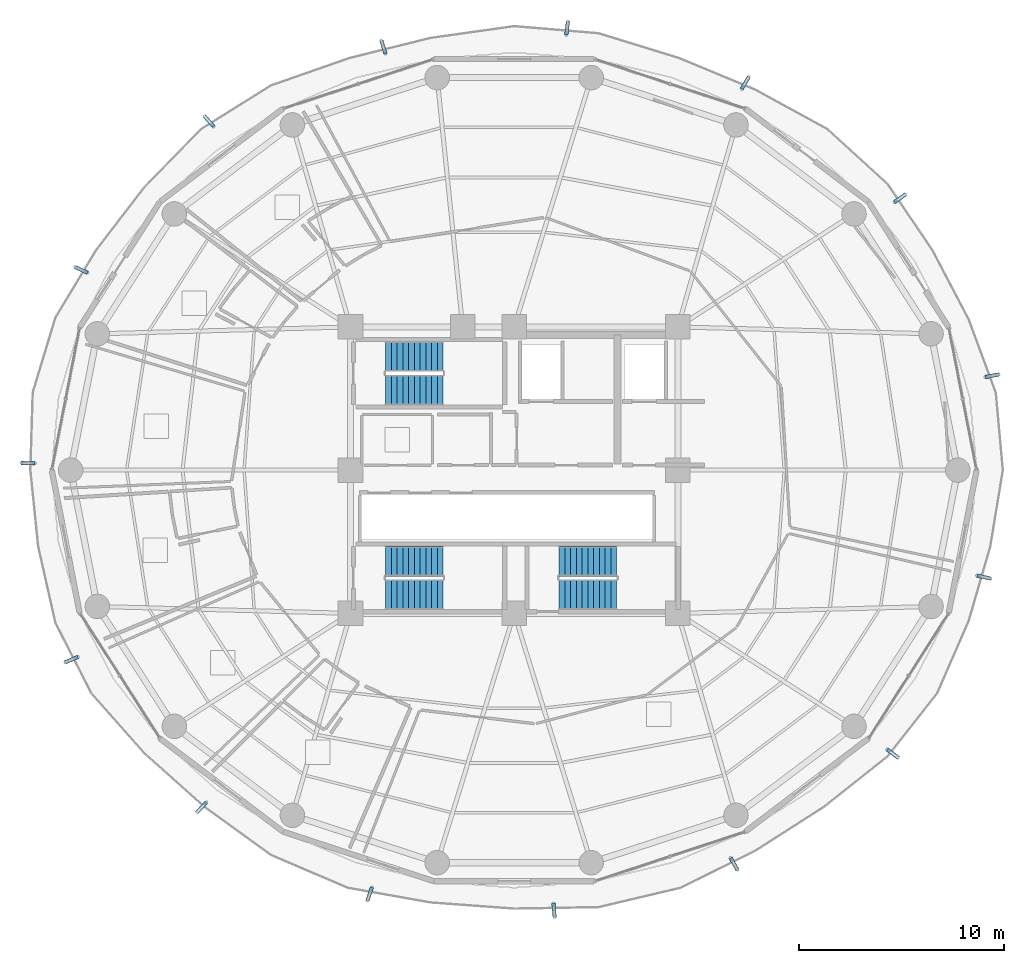
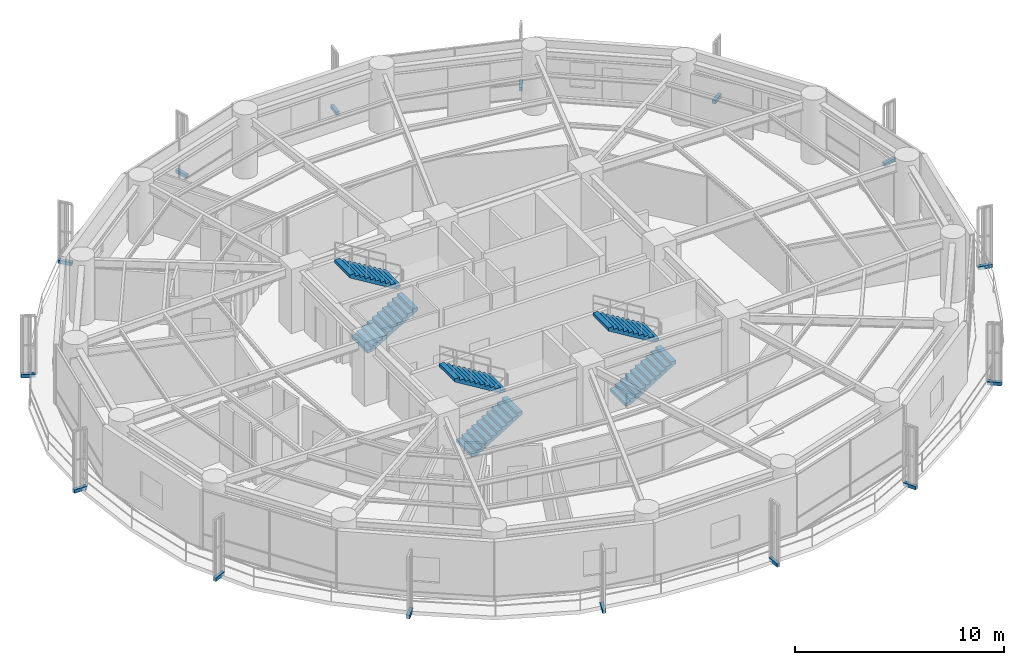
# One storey, part 24 of 27: 15 discrete accessories, 6 stair flights, 3 elements without a shape of their own.
"""IFC4 building model written with IfcOpenShell, lengths in metres."""

import ifcopenshell
import ifcopenshell.guid

model = None  # the IFC model being written
_history = None  # IfcOwnerHistory: only IFC2X3 demands one
_inside = {}  # id of a spatial element -> (the spatial element, [elements in it])
_under = {}  # id of a project, library or spatial element -> (it, [spatial elements below it])
_declared = {}  # id of a project -> (the project, [libraries it declares])
_typed = {}  # id of a type object -> (the type object, [elements of that type])
_made_of = {}  # id of a material, layer set ... -> (it, [elements and type objects made of it])


def new_model(schema):
    """Start an empty IFC model of exactly this schema.

    Asked for "IFC4X3", IfcOpenShell would pick the latest addendum, in which some entities
    have other attributes; the version numbers below select the first issue.
    IFC2X3 requires an IfcOwnerHistory on every rooted entity: one is made here for all.
    """
    global model, _history
    if schema == "IFC4X3":
        model = ifcopenshell.file(schema_version=(4, 3, 0, 0))
    else:
        model = ifcopenshell.file(schema=schema)
    _inside.clear()
    _under.clear()
    _declared.clear()
    _typed.clear()
    _made_of.clear()
    _history = None
    if model.schema == "IFC2X3":
        org = make("IfcOrganization", Name="unknown")
        user = make(
            "IfcPersonAndOrganization",
            ThePerson=make("IfcPerson", FamilyName="unknown"),
            TheOrganization=org,
        )
        app = make(
            "IfcApplication",
            ApplicationDeveloper=org,
            Version="unknown",
            ApplicationFullName="unknown",
            ApplicationIdentifier="unknown",
        )
        _history = make(
            "IfcOwnerHistory",
            OwningUser=user,
            OwningApplication=app,
            ChangeAction="ADDED",
            CreationDate=0,
        )
    return model


def make(cls, **values):
    """One entity of the class cls with the attributes given. An attribute that is None is left unset."""
    return model.create_entity(
        cls, **{name: value for name, value in values.items() if value is not None}
    )


def rooted(cls, **values):
    """An entity with a GlobalId (a new one), such as an element, a storey or a relation."""
    return make(cls, GlobalId=ifcopenshell.guid.new(), OwnerHistory=_history, **values)


def si_unit(unit_type, name, prefix=None):
    """IfcSIUnit, for example si_unit("LENGTHUNIT", "METRE", prefix="MILLI")."""
    return make("IfcSIUnit", UnitType=unit_type, Prefix=prefix, Name=name)


def assignment(units):
    """IfcUnitAssignment: the units of a project."""
    return None if units is None else make("IfcUnitAssignment", Units=units)


def point(xyz):
    """IfcCartesianPoint."""
    return None if xyz is None else make("IfcCartesianPoint", Coordinates=xyz)


def direction(xyz):
    """IfcDirection."""
    return None if xyz is None else make("IfcDirection", DirectionRatios=xyz)


def frame(location, z_axis=None, x_axis=None):
    """IfcAxis2Placement3D, a coordinate frame: its origin and axes. An axis left out is left unset."""
    return make(
        "IfcAxis2Placement3D",
        Location=point(location),
        Axis=direction(z_axis),
        RefDirection=direction(x_axis),
    )


def frame_2d(location, x_axis=None):
    """IfcAxis2Placement2D, a coordinate frame in the plane: its origin and x axis."""
    return make(
        "IfcAxis2Placement2D", Location=point(location), RefDirection=direction(x_axis)
    )


def origin():
    """The frame at (0, 0, 0) with its axes left unset."""
    return frame((0.0, 0.0, 0.0))


def origin_2d():
    """The frame at (0, 0) in the plane with its x axis left unset."""
    return frame_2d((0.0, 0.0))


def place(relative_to, where):
    """IfcLocalPlacement: puts the frame where relative to a parent placement (None: the world)."""
    return make(
        "IfcLocalPlacement", PlacementRelTo=relative_to, RelativePlacement=where
    )


def context(
    kind, dimensions, precision=None, world=None, true_north=None, identifier=None
):
    """IfcGeometricRepresentationContext, for example the 3D "Model" context."""
    return make(
        "IfcGeometricRepresentationContext",
        ContextIdentifier=identifier,
        ContextType=kind,
        CoordinateSpaceDimension=dimensions,
        Precision=precision,
        WorldCoordinateSystem=world,
        TrueNorth=true_north,
    )


def subcontext(parent, identifier, kind, view, scale=None):
    """IfcGeometricRepresentationSubContext, for example "Body" below "Model"."""
    return make(
        "IfcGeometricRepresentationSubContext",
        ContextIdentifier=identifier,
        ContextType=kind,
        ParentContext=parent,
        TargetScale=scale,
        TargetView=view,
    )


def project(units=None, contexts=None):
    """IfcProject with its units and contexts."""
    return rooted(
        "IfcProject",
        Name="project",
        RepresentationContexts=contexts,
        UnitsInContext=assignment(units),
    )


def spatial(cls, under=None, at=None, **own):
    """A site, building, storey or space (cls), placed at a placement, below another one or the project."""
    s = rooted(cls, ObjectPlacement=at, **own)
    if under is not None:
        _under.setdefault(under.id(), (under, []))[1].append(s)
    return s


def polyline(points):
    """IfcPolyline through the points."""
    return make("IfcPolyline", Points=[point(p) for p in points])


def profile(cls, at=None, kind="AREA", **sizes):
    """A parametric profile (cls). Its sizes go by their IFC names, for example OverallWidth=200.0."""
    return make(cls, ProfileType=kind, Position=at, **sizes)


def rectangle(**sizes):
    """IfcRectangleProfileDef."""
    return profile("IfcRectangleProfileDef", **sizes)


def outline(outer, holes=None, kind="AREA"):
    """IfcArbitraryClosedProfileDef: a profile drawn as a closed curve; with holes, ...WithVoids."""
    if holes is None:
        return make("IfcArbitraryClosedProfileDef", ProfileType=kind, OuterCurve=outer)
    return make(
        "IfcArbitraryProfileDefWithVoids",
        ProfileType=kind,
        OuterCurve=outer,
        InnerCurves=holes,
    )


def extrude(swept, where, along, depth):
    """IfcExtrudedAreaSolid: the profile swept, set in the frame where, extruded along a direction by depth."""
    return make(
        "IfcExtrudedAreaSolid",
        SweptArea=swept,
        Position=where,
        ExtrudedDirection=direction(along),
        Depth=depth,
    )


def shape(context_of_items, identifier, shape_type, items):
    """IfcShapeRepresentation: the items that make up one representation, for example the "Body"."""
    return make(
        "IfcShapeRepresentation",
        ContextOfItems=context_of_items,
        RepresentationIdentifier=identifier,
        RepresentationType=shape_type,
        Items=items,
    )


def source(mapping_origin, context_of_items, identifier, shape_type, items):
    """IfcRepresentationMap: a shape defined once, which mapped items show again and again."""
    return make(
        "IfcRepresentationMap",
        MappingOrigin=mapping_origin,
        MappedRepresentation=shape(context_of_items, identifier, shape_type, items),
    )


def transform(
    local_origin,
    x_axis=None,
    y_axis=None,
    z_axis=None,
    scale=None,
    scale2=None,
    scale3=None,
    uniform=True,
):
    """IfcCartesianTransformationOperator3D, or its non-uniform kind. x_axis, y_axis, z_axis: its Axis1, 2, 3."""
    if uniform:
        return make(
            "IfcCartesianTransformationOperator3D",
            Axis1=direction(x_axis),
            Axis2=direction(y_axis),
            LocalOrigin=point(local_origin),
            Scale=scale,
            Axis3=direction(z_axis),
        )
    return make(
        "IfcCartesianTransformationOperator3DnonUniform",
        Axis1=direction(x_axis),
        Axis2=direction(y_axis),
        LocalOrigin=point(local_origin),
        Scale=scale,
        Axis3=direction(z_axis),
        Scale2=scale2,
        Scale3=scale3,
    )


def mapped(mapping_source, mapping_target):
    """IfcMappedItem: shows the shape of a source again, moved by a transform."""
    return make(
        "IfcMappedItem", MappingSource=mapping_source, MappingTarget=mapping_target
    )


def material(Name=None, Category=None):
    """IfcMaterial."""
    return make("IfcMaterial", Name=Name, Category=Category)


def made_of(thing, what):
    """Note that an element or type object is made of a material, layer set ...; save() writes the relation."""
    if what is not None:
        _made_of.setdefault(what.id(), (what, []))[1].append(thing)
    return thing


def type_object(cls, material=None, **own):
    """A type object (cls), such as IfcWallType, which elements share."""
    return made_of(rooted(cls, **own), material)


def element(
    cls,
    number,
    at=None,
    inside=None,
    cuts=None,
    type_object=None,
    material=None,
    context=None,
    identifier="Body",
    shape_type=None,
    held_by="IfcProductDefinitionShape",
    body=None,
    shapes=None,
    **own,
):
    """One element of the class cls, such as IfcWall. Its Tag is "e" and its number.

    at: its placement. inside: the storey or other place that contains it. cuts: it is an
    opening in that element (IfcRelVoidsElement). A single representation is given by context,
    identifier, shape_type and body (its items); several are given by shapes. held_by: the class
    of the entity that holds the representations. save() writes the other relations.
    """
    e = rooted(cls, Tag="e%d" % number, ObjectPlacement=at, **own)
    if body is not None:
        shapes = [shape(context, identifier, shape_type, body)]
    if shapes is not None:
        e.Representation = make(held_by, Representations=shapes)
    if inside is not None:
        _inside.setdefault(inside.id(), (inside, []))[1].append(e)
    if cuts is not None:
        rooted(
            "IfcRelVoidsElement", RelatingBuildingElement=cuts, RelatedOpeningElement=e
        )
    if type_object is not None:
        _typed.setdefault(type_object.id(), (type_object, []))[1].append(e)
    return made_of(e, material)


def aggregate(whole, parts):
    """IfcRelAggregates: a whole, such as a stair, and the parts it consists of."""
    return rooted("IfcRelAggregates", RelatingObject=whole, RelatedObjects=parts)


def save(model, path):
    """Write the relations noted so far, then the file.

    IfcRelAggregates (storeys below a building ...), IfcRelContainedInSpatialStructure (elements
    in a storey), IfcRelDefinesByType, IfcRelAssociatesMaterial and IfcRelDeclares: one each for
    every whole, place, type object, material and project.
    """
    for whole, parts in _under.values():
        aggregate(whole, parts)
    for where, things in _inside.values():
        rooted(
            "IfcRelContainedInSpatialStructure",
            RelatedElements=things,
            RelatingStructure=where,
        )
    for kind, things in _typed.values():
        rooted("IfcRelDefinesByType", RelatedObjects=things, RelatingType=kind)
    for what, things in _made_of.values():
        rooted("IfcRelAssociatesMaterial", RelatedObjects=things, RelatingMaterial=what)
    for by, libraries in _declared.values():
        rooted("IfcRelDeclares", RelatingContext=by, RelatedDefinitions=libraries)
    model.write(path)


model = new_model("IFC4")

# Units and contexts
model_context = context("Model", 3, precision=1e-05, world=origin(), true_north=direction((0.0, 1.0)))
body_context = subcontext(model_context, "Body", "Model", "MODEL_VIEW")
ifc_project = project(units=[si_unit("LENGTHUNIT", "METRE"), si_unit("AREAUNIT", "SQUARE_METRE"), si_unit("VOLUMEUNIT", "CUBIC_METRE"), si_unit("PLANEANGLEUNIT", "RADIAN"), si_unit("MASSUNIT", "GRAM", prefix="KILO")], contexts=[model_context])

# Site, building, storey
site_placement = place(None, origin())
site = spatial("IfcSite", under=ifc_project, at=site_placement, CompositionType="ELEMENT")
building_placement = place(site_placement, origin())
building = spatial("IfcBuilding", under=site, at=building_placement, Name="Kelanora Arch Commons", CompositionType="ELEMENT")
storey_placement = place(building_placement, frame((0.0, 0.0, 146.85009765625)))
storey = spatial("IfcBuildingStorey", under=building, at=storey_placement, Name="L37", CompositionType="ELEMENT", Elevation=146.85009765625)

# Stair, stair flights
ifc_material_1 = material(Name="Concrete C40/50", Category="concrete")
stair_type = type_object("IfcStairType", Name="STR-DL-375", PredefinedType="HALF_TURN_STAIR", material=ifc_material_1)
stair_1_placement = place(storey_placement, origin())
stair_1 = element("IfcStair", 1, at=stair_1_placement, inside=storey, type_object=stair_type, Name="L37 ST-T1", PredefinedType="HALF_TURN_STAIR")
stair_flight_type = type_object("IfcStairFlightType", Name="FLT-DL-375", PredefinedType="STRAIGHT", material=ifc_material_1)
stair_flight_1_placement = place(storey_placement, frame((67.719970703125, 61.919921875, 0.0), z_axis=(0.0, 0.0, 1.0), x_axis=(1.0, 0.0, 0.0)))
stair_flight_1 = element("IfcStairFlight", 2, at=stair_flight_1_placement, type_object=stair_flight_type, Name="ST-T1 flight 1", NumberOfRisers=11, NumberOfTreads=10, PredefinedType="STRAIGHT", RiserHeight=0.170454545, TreadLength=0.28, context=body_context, shape_type="SweptSolid", body=[
    extrude(outline(polyline([(0.0, 0.0), (0.0, 0.17041015625), (0.280029296875, 0.17041015625), (0.280029296875, 0.3408203125), (0.56005859375, 0.3408203125), (0.56005859375, 0.511474609375), (0.840087890625, 0.511474609375), (0.840087890625, 0.681884765625), (1.1201171875, 0.681884765625), (1.1201171875, 0.852294921875), (1.39990234375, 0.852294921875), (1.39990234375, 1.022705078125), (1.679931640625, 1.022705078125), (1.679931640625, 1.193115234375), (1.9599609375, 1.193115234375), (1.9599609375, 1.363525390625), (2.239990234375, 1.363525390625), (2.239990234375, 1.5341796875), (2.52001953125, 1.5341796875), (2.52001953125, 1.70458984375), (2.800048828125, 1.70458984375), (2.800048828125, 1.875), (2.800048828125, 1.529052734375), (0.288330078125, 0.0), (0.0, 0.0)])), frame((0.0, 0.739990234375, 0.0), z_axis=(0.0, -1.0, 0.0), x_axis=(1.0, 0.0, 0.0)), (0.0, 0.0, 1.0), 1.47998046875),
])
stair_flight_2_placement = place(storey_placement, frame((70.52001953125, 63.550048828125, 1.875), z_axis=(0.0, 0.0, 1.0), x_axis=(-1.0, 0.0, 0.0)))
stair_flight_2 = element("IfcStairFlight", 3, at=stair_flight_2_placement, type_object=stair_flight_type, Name="ST-T1 flight 2", NumberOfRisers=11, NumberOfTreads=10, PredefinedType="STRAIGHT", RiserHeight=0.170454545, TreadLength=0.28, context=body_context, shape_type="SweptSolid", body=[
    extrude(outline(polyline([(0.0, 0.0), (0.0, 0.17041015625), (0.280029296875, 0.17041015625), (0.280029296875, 0.3408203125), (0.56005859375, 0.3408203125), (0.56005859375, 0.511474609375), (0.840087890625, 0.511474609375), (0.840087890625, 0.681884765625), (1.1201171875, 0.681884765625), (1.1201171875, 0.852294921875), (1.39990234375, 0.852294921875), (1.39990234375, 1.022705078125), (1.679931640625, 1.022705078125), (1.679931640625, 1.193115234375), (1.9599609375, 1.193115234375), (1.9599609375, 1.363525390625), (2.239990234375, 1.363525390625), (2.239990234375, 1.5341796875), (2.52001953125, 1.5341796875), (2.52001953125, 1.70458984375), (2.800048828125, 1.70458984375), (2.800048828125, 1.875), (2.800048828125, 1.529052734375), (0.288330078125, 0.0), (0.0, 0.0)])), frame((0.0, 0.739990234375, 0.0), z_axis=(0.0, -1.0, 0.0), x_axis=(1.0, 0.0, 0.0)), (0.0, 0.0, 1.0), 1.47998046875),
])
aggregate(stair_1, [stair_flight_1, stair_flight_2])

stair_2_placement = place(storey_placement, origin())
stair_2 = element("IfcStair", 4, at=stair_2_placement, inside=storey, type_object=stair_type, Name="L37 ST-T2", PredefinedType="HALF_TURN_STAIR")
stair_flight_3_placement = place(storey_placement, frame((76.199951171875, 51.919921875, 0.0), z_axis=(0.0, 0.0, 1.0), x_axis=(1.0, 0.0, 0.0)))
stair_flight_3 = element("IfcStairFlight", 5, at=stair_flight_3_placement, type_object=stair_flight_type, Name="ST-T2 flight 1", NumberOfRisers=11, NumberOfTreads=10, PredefinedType="STRAIGHT", RiserHeight=0.170454545, TreadLength=0.28, context=body_context, shape_type="SweptSolid", body=[
    extrude(outline(polyline([(0.0, 0.0), (0.0, 0.17041015625), (0.280029296875, 0.17041015625), (0.280029296875, 0.3408203125), (0.56005859375, 0.3408203125), (0.56005859375, 0.511474609375), (0.840087890625, 0.511474609375), (0.840087890625, 0.681884765625), (1.1201171875, 0.681884765625), (1.1201171875, 0.852294921875), (1.39990234375, 0.852294921875), (1.39990234375, 1.022705078125), (1.679931640625, 1.022705078125), (1.679931640625, 1.193115234375), (1.9599609375, 1.193115234375), (1.9599609375, 1.363525390625), (2.239990234375, 1.363525390625), (2.239990234375, 1.5341796875), (2.52001953125, 1.5341796875), (2.52001953125, 1.70458984375), (2.800048828125, 1.70458984375), (2.800048828125, 1.875), (2.800048828125, 1.529052734375), (0.288330078125, 0.0), (0.0, 0.0)])), frame((0.0, 0.739990234375, 0.0), z_axis=(0.0, -1.0, 0.0), x_axis=(1.0, 0.0, 0.0)), (0.0, 0.0, 1.0), 1.47998046875),
])
stair_flight_4_placement = place(storey_placement, frame((79.0, 53.550048828125, 1.875), z_axis=(0.0, 0.0, 1.0), x_axis=(-1.0, 0.0, 0.0)))
stair_flight_4 = element("IfcStairFlight", 6, at=stair_flight_4_placement, type_object=stair_flight_type, Name="ST-T2 flight 2", NumberOfRisers=11, NumberOfTreads=10, PredefinedType="STRAIGHT", RiserHeight=0.170454545, TreadLength=0.28, context=body_context, shape_type="SweptSolid", body=[
    extrude(outline(polyline([(0.0, 0.0), (0.0, 0.17041015625), (0.280029296875, 0.17041015625), (0.280029296875, 0.3408203125), (0.56005859375, 0.3408203125), (0.56005859375, 0.511474609375), (0.840087890625, 0.511474609375), (0.840087890625, 0.681884765625), (1.1201171875, 0.681884765625), (1.1201171875, 0.852294921875), (1.39990234375, 0.852294921875), (1.39990234375, 1.022705078125), (1.679931640625, 1.022705078125), (1.679931640625, 1.193115234375), (1.9599609375, 1.193115234375), (1.9599609375, 1.363525390625), (2.239990234375, 1.363525390625), (2.239990234375, 1.5341796875), (2.52001953125, 1.5341796875), (2.52001953125, 1.70458984375), (2.800048828125, 1.70458984375), (2.800048828125, 1.875), (2.800048828125, 1.529052734375), (0.288330078125, 0.0), (0.0, 0.0)])), frame((0.0, 0.739990234375, 0.0), z_axis=(0.0, -1.0, 0.0), x_axis=(1.0, 0.0, 0.0)), (0.0, 0.0, 1.0), 1.47998046875),
])
aggregate(stair_2, [stair_flight_3, stair_flight_4])

stair_3_placement = place(storey_placement, origin())
stair_3 = element("IfcStair", 7, at=stair_3_placement, inside=storey, type_object=stair_type, Name="L37 ST-T3", PredefinedType="HALF_TURN_STAIR")
stair_flight_5_placement = place(storey_placement, frame((67.719970703125, 51.919921875, 0.0), z_axis=(0.0, 0.0, 1.0), x_axis=(1.0, 0.0, 0.0)))
stair_flight_5 = element("IfcStairFlight", 8, at=stair_flight_5_placement, type_object=stair_flight_type, Name="ST-T3 flight 1", NumberOfRisers=11, NumberOfTreads=10, PredefinedType="STRAIGHT", RiserHeight=0.170454545, TreadLength=0.28, context=body_context, shape_type="SweptSolid", body=[
    extrude(outline(polyline([(0.0, 0.0), (0.0, 0.17041015625), (0.280029296875, 0.17041015625), (0.280029296875, 0.3408203125), (0.56005859375, 0.3408203125), (0.56005859375, 0.511474609375), (0.840087890625, 0.511474609375), (0.840087890625, 0.681884765625), (1.1201171875, 0.681884765625), (1.1201171875, 0.852294921875), (1.39990234375, 0.852294921875), (1.39990234375, 1.022705078125), (1.679931640625, 1.022705078125), (1.679931640625, 1.193115234375), (1.9599609375, 1.193115234375), (1.9599609375, 1.363525390625), (2.239990234375, 1.363525390625), (2.239990234375, 1.5341796875), (2.52001953125, 1.5341796875), (2.52001953125, 1.70458984375), (2.800048828125, 1.70458984375), (2.800048828125, 1.875), (2.800048828125, 1.529052734375), (0.288330078125, 0.0), (0.0, 0.0)])), frame((0.0, 0.739990234375, 0.0), z_axis=(0.0, -1.0, 0.0), x_axis=(1.0, 0.0, 0.0)), (0.0, 0.0, 1.0), 1.47998046875),
])
stair_flight_6_placement = place(storey_placement, frame((70.52001953125, 53.550048828125, 1.875), z_axis=(0.0, 0.0, 1.0), x_axis=(-1.0, 0.0, 0.0)))
stair_flight_6 = element("IfcStairFlight", 9, at=stair_flight_6_placement, type_object=stair_flight_type, Name="ST-T3 flight 2", NumberOfRisers=11, NumberOfTreads=10, PredefinedType="STRAIGHT", RiserHeight=0.170454545, TreadLength=0.28, context=body_context, shape_type="SweptSolid", body=[
    extrude(outline(polyline([(0.0, 0.0), (0.0, 0.17041015625), (0.280029296875, 0.17041015625), (0.280029296875, 0.3408203125), (0.56005859375, 0.3408203125), (0.56005859375, 0.511474609375), (0.840087890625, 0.511474609375), (0.840087890625, 0.681884765625), (1.1201171875, 0.681884765625), (1.1201171875, 0.852294921875), (1.39990234375, 0.852294921875), (1.39990234375, 1.022705078125), (1.679931640625, 1.022705078125), (1.679931640625, 1.193115234375), (1.9599609375, 1.193115234375), (1.9599609375, 1.363525390625), (2.239990234375, 1.363525390625), (2.239990234375, 1.5341796875), (2.52001953125, 1.5341796875), (2.52001953125, 1.70458984375), (2.800048828125, 1.70458984375), (2.800048828125, 1.875), (2.800048828125, 1.529052734375), (0.288330078125, 0.0), (0.0, 0.0)])), frame((0.0, 0.739990234375, 0.0), z_axis=(0.0, -1.0, 0.0), x_axis=(1.0, 0.0, 0.0)), (0.0, 0.0, 1.0), 1.47998046875),
])
aggregate(stair_3, [stair_flight_5, stair_flight_6])

# Discrete accessories
ifc_material_2 = material(Name="Stainless steel 316 marine fin bracket", Category="steel")
discrete_accessory_type = type_object("IfcDiscreteAccessoryType", Name="ACC-FIN-BRK", PredefinedType="BRACKET", material=ifc_material_2)
shared_shape = source(origin(), body_context, "Body", "SweptSolid", [
    extrude(rectangle(XDim=0.689697265625, YDim=0.179931640625, at=origin_2d()), origin(), (0.0, 0.0, 1.0), 0.199951171875),
])
for number, where, z_axis, x_axis, name in (
    (10, (97.35986328125, 62.6142578125, -0.16015625), (0.0, 0.0, 1.0), (0.981056721746, 0.1937206977, 0.0), "Sweeping Fin Cantilever Spine Bracket L37-00"),
    (11, (92.864501953125, 71.294677734375, -0.16015625), (0.0, 0.0, 1.0), (0.817446605564, 0.576004381105, 0.0), "Sweeping Fin Cantilever Spine Bracket L37-01"),
    (12, (85.296875, 76.93115234375, -0.16015625), (0.0, 0.0, 1.0), (0.512492545011, 0.858691674181, 0.0), "Sweeping Fin Cantilever Spine Bracket L37-02"),
    (13, (76.58642578125, 79.607177734375, -0.16015625), (0.0, 0.0, 1.0), (0.118923867576, 0.992903375823, 0.0), "Sweeping Fin Cantilever Spine Bracket L37-03"),
    (14, (67.608154296875, 78.681884765625, -0.16015625), (0.0, 0.0, 1.0), (-0.295207826951, 0.955433063541, 0.0), "Sweeping Fin Cantilever Spine Bracket L37-04"),
    (15, (59.082275390625, 75.055908203125, -0.16015625), (0.0, 0.0, 1.0), (-0.65829540632, 0.752759694735, 0.0), "Sweeping Fin Cantilever Spine Bracket L37-05"),
    (16, (52.83935546875, 67.789306640625, -0.16015625), (0.0, 0.0, 1.0), (-0.90755772951, 0.419927336103, 0.0), "Sweeping Fin Cantilever Spine Bracket L37-06"),
    (17, (50.23876953125, 58.342529296875, -0.16015625), (0.0, 0.0, 1.0), (-0.999895076365, 0.014485726139, 0.0), "Sweeping Fin Cantilever Spine Bracket L37-07"),
    (18, (52.35888671875, 48.736328125, -0.16015625), (0.0, 0.0, 1.0), (-0.919341480754, -0.393460597474, 0.0), "Sweeping Fin Cantilever Spine Bracket L37-08"),
    (19, (58.71728515625, 41.51123046875, -0.16015625), (0.0, 0.0, 1.0), (-0.679825391166, -0.733374009306, 0.0), "Sweeping Fin Cantilever Spine Bracket L37-09"),
    (20, (66.935546875, 37.279052734375, -0.16015625), (0.0, 0.0, 1.0), (-0.322761315426, -0.946480392435, 0.0), "Sweeping Fin Cantilever Spine Bracket L37-10"),
    (21, (75.9482421875, 36.485107421875, -0.16015625), (0.0, 0.0, 1.0), (0.090111123946, -0.995931717208, 0.0), "Sweeping Fin Cantilever Spine Bracket L37-11"),
    (22, (84.746337890625, 38.751220703125, -0.16015625), (0.0, 0.0, 1.0), (0.487402531354, -0.87317740032, 0.0), "Sweeping Fin Cantilever Spine Bracket L37-12"),
    (23, (92.505859375, 44.142578125, -0.16015625), (0.0, 0.0, 1.0), (0.800417613178, -0.599442778349, 0.0), "Sweeping Fin Cantilever Spine Bracket L37-13"),
    (24, (96.95947265625, 52.772705078125, -0.16015625), (0.0, 0.0, 1.0), (0.975033218117, -0.222059054235, 0.0), "Sweeping Fin Cantilever Spine Bracket L37-14"),
):
    element("IfcDiscreteAccessory", number, at=place(storey_placement, frame(where, z_axis=z_axis, x_axis=x_axis)), inside=storey, type_object=discrete_accessory_type, Name=name, PredefinedType="BRACKET", context=body_context, shape_type="MappedRepresentation", body=[
        mapped(shared_shape, transform((0.0, 0.0, 0.0), scale=1.0)),
    ])

save(model, "model.ifc")
